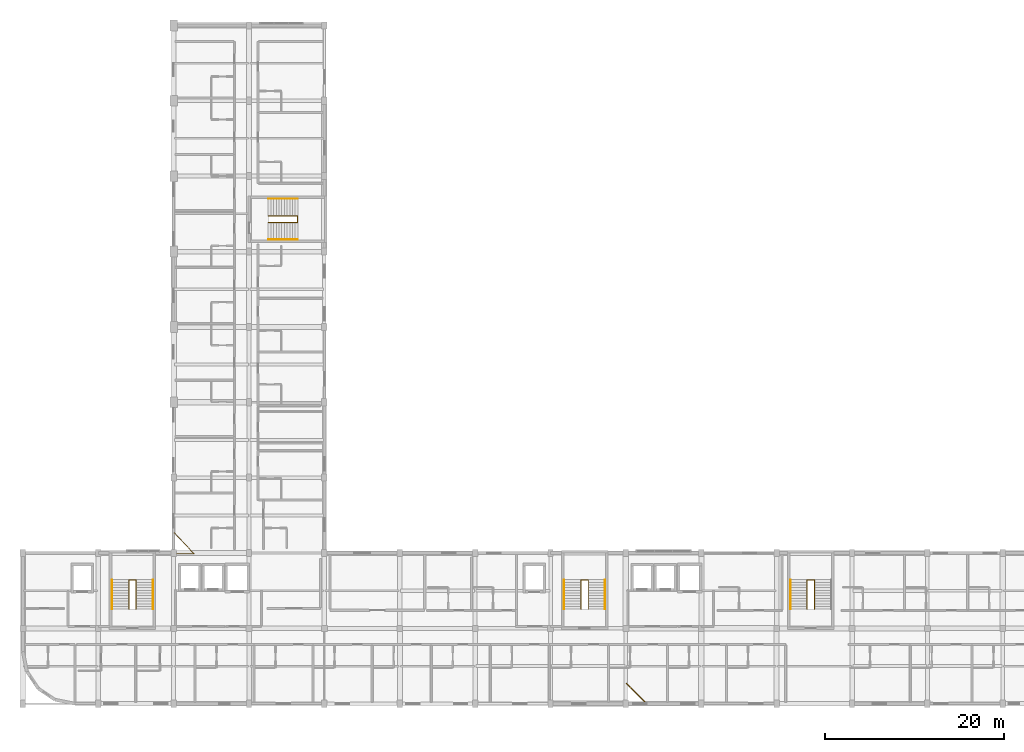
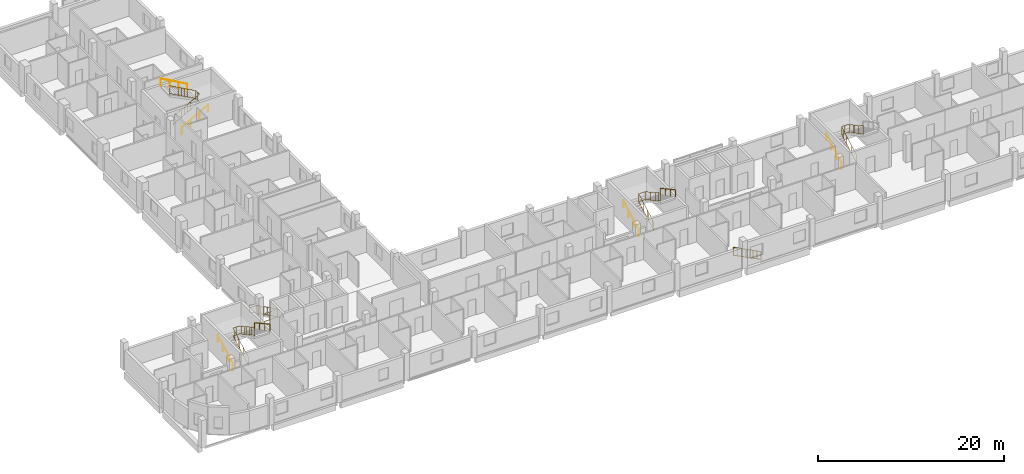
# One storey, part 25 of 26: 13 railings.
"""IFC4 building model written with IfcOpenShell, lengths in metres."""

from ifc_helpers import new_model, si_unit, derived_unit, direction, frame, origin, origin_2d, place, context, subcontext, project, spatial, circle, extrude, material, layer, layer_set, type_object, element, save


model = new_model("IFC4")

# Units and contexts
model_context = context("Model", 3, precision=1e-05, world=origin(), true_north=direction((0.0, 1.0)))
body_context = subcontext(model_context, "Body", "Model", "MODEL_VIEW")
ifc_project = project(units=[si_unit("LENGTHUNIT", "METRE"), si_unit("AREAUNIT", "SQUARE_METRE"), si_unit("VOLUMEUNIT", "CUBIC_METRE"), si_unit("PLANEANGLEUNIT", "RADIAN"), si_unit("MASSUNIT", "GRAM", prefix="KILO"), derived_unit("THERMALTRANSMITTANCEUNIT", [(si_unit("POWERUNIT", "WATT"), 1), (si_unit("LENGTHUNIT", "METRE"), -2), (si_unit("THERMODYNAMICTEMPERATUREUNIT", "KELVIN"), -1)])], contexts=[model_context])

# Site, building, storey
site_placement = place(None, origin())
site = spatial("IfcSite", under=ifc_project, at=site_placement, CompositionType="ELEMENT")
building_placement = place(site_placement, origin())
building = spatial("IfcBuilding", under=site, at=building_placement, Name="Barrovel Congress Hotel", CompositionType="ELEMENT")
storey_placement = place(building_placement, frame((0.0, 0.0, 21.89990234375)))
storey = spatial("IfcBuildingStorey", under=building, at=storey_placement, Name="L05", CompositionType="ELEMENT", Elevation=21.89990234375)

# Railings
ifc_material_1 = material(Name="Painted Architectural Steel", Category="steel")
ifc_layer_1 = layer(ifc_material_1, 0.070068359375)
ifc_layer_set_1 = layer_set([ifc_layer_1], Name="Painted Architectural Steel")
railing_type_1 = type_object("IfcRailingType", Name="RAIL-GUARD-INT", PredefinedType="BALUSTRADE", material=ifc_layer_set_1)
railing_1_placement = place(storey_placement, frame((28.60009765625, 14.739990234375, 0.0)))
element("IfcRailing", 1, at=railing_1_placement, inside=storey, type_object=railing_type_1, Name="STAIR:XS-01:L05:GR-W", PredefinedType="BALUSTRADE", context=body_context, shape_type="SweptSolid", body=[
    extrude(circle(Radius=0.02392578125, at=origin_2d()), frame((0.0, 0.0, 1.11572265625), z_axis=(0.0, 0.876041855244, 0.482235075311), x_axis=(-1.0, 0.0, 0.0)), (0.0, 0.0, 1.0), 3.732666015625),
    extrude(circle(Radius=0.02392578125, at=origin_2d()), frame((0.0, 0.0, 0.10009765625), z_axis=(0.0, 0.876041855244, 0.482235075311), x_axis=(-1.0, 0.0, 0.0)), (0.0, 0.0, 1.0), 3.732666015625),
    extrude(circle(Radius=0.010009765625, at=origin_2d()), frame((0.0, 0.36328125, 0.300048828125)), (0.0, 0.0, 1.0), 0.99169921875),
    extrude(circle(Radius=0.010009765625, at=origin_2d()), frame((0.0, 0.7265625, 0.5)), (0.0, 0.0, 1.0), 0.99169921875),
    extrude(circle(Radius=0.010009765625, at=origin_2d()), frame((0.0, 1.090087890625, 0.699951171875)), (0.0, 0.0, 1.0), 0.99169921875),
    extrude(circle(Radius=0.010009765625, at=origin_2d()), frame((0.0, 1.453369140625, 0.89990234375)), (0.0, 0.0, 1.0), 0.99169921875),
    extrude(circle(Radius=0.010009765625, at=origin_2d()), frame((0.0, 1.816650390625, 1.10009765625)), (0.0, 0.0, 1.0), 0.99169921875),
    extrude(circle(Radius=0.010009765625, at=origin_2d()), frame((0.0, 2.179931640625, 1.300048828125)), (0.0, 0.0, 1.0), 0.99169921875),
    extrude(circle(Radius=0.010009765625, at=origin_2d()), frame((0.0, 2.54345703125, 1.5)), (0.0, 0.0, 1.0), 0.99169921875),
    extrude(circle(Radius=0.010009765625, at=origin_2d()), frame((0.0, 2.90673828125, 1.699951171875)), (0.0, 0.0, 1.0), 0.99169921875),
    extrude(circle(Radius=0.02392578125, at=origin_2d()), frame((0.0, 3.27001953125, 2.916015625), z_axis=(1.0, 0.0, 0.0), x_axis=(0.0, 1.0, 0.0)), (0.0, 0.0, 1.0), 0.7998046875),
    extrude(circle(Radius=0.02392578125, at=origin_2d()), frame((0.0, 3.27001953125, 1.900146484375), z_axis=(1.0, 0.0, 0.0), x_axis=(0.0, 1.0, 0.0)), (0.0, 0.0, 1.0), 0.7998046875),
    extrude(circle(Radius=0.010009765625, at=origin_2d()), frame((0.39990234375, 3.27001953125, 1.900146484375)), (0.0, 0.0, 1.0), 0.99169921875),
    extrude(circle(Radius=0.02392578125, at=origin_2d()), frame((0.7998046875, 3.27001953125, 2.916015625), z_axis=(0.0, -0.876041855244, 0.482235075311), x_axis=(1.0, 0.0, 0.0)), (0.0, 0.0, 1.0), 3.732666015625),
    extrude(circle(Radius=0.02392578125, at=origin_2d()), frame((0.7998046875, 3.27001953125, 1.900146484375), z_axis=(0.0, -0.876041855244, 0.482235075311), x_axis=(1.0, 0.0, 0.0)), (0.0, 0.0, 1.0), 3.732666015625),
    extrude(circle(Radius=0.010009765625, at=origin_2d()), frame((0.7998046875, 2.90673828125, 2.10009765625)), (0.0, 0.0, 1.0), 0.99169921875),
    extrude(circle(Radius=0.010009765625, at=origin_2d()), frame((0.7998046875, 2.54345703125, 2.300048828125)), (0.0, 0.0, 1.0), 0.99169921875),
    extrude(circle(Radius=0.010009765625, at=origin_2d()), frame((0.7998046875, 2.179931640625, 2.5)), (0.0, 0.0, 1.0), 0.99169921875),
    extrude(circle(Radius=0.010009765625, at=origin_2d()), frame((0.7998046875, 1.816650390625, 2.699951171875)), (0.0, 0.0, 1.0), 0.99169921875),
    extrude(circle(Radius=0.010009765625, at=origin_2d()), frame((0.7998046875, 1.453369140625, 2.900146484375)), (0.0, 0.0, 1.0), 0.99169921875),
    extrude(circle(Radius=0.010009765625, at=origin_2d()), frame((0.7998046875, 1.090087890625, 3.10009765625)), (0.0, 0.0, 1.0), 0.99169921875),
    extrude(circle(Radius=0.010009765625, at=origin_2d()), frame((0.7998046875, 0.7265625, 3.300048828125)), (0.0, 0.0, 1.0), 0.99169921875),
    extrude(circle(Radius=0.010009765625, at=origin_2d()), frame((0.7998046875, 0.36328125, 3.5)), (0.0, 0.0, 1.0), 0.99169921875),
    extrude(circle(Radius=0.02099609375, at=origin_2d()), origin(), (0.0, 0.0, 1.0), 1.091796875),
    extrude(circle(Radius=0.02099609375, at=origin_2d()), frame((0.0, 1.090087890625, 0.60009765625)), (0.0, 0.0, 1.0), 1.091796875),
    extrude(circle(Radius=0.02099609375, at=origin_2d()), frame((0.0, 2.179931640625, 1.199951171875)), (0.0, 0.0, 1.0), 1.091796875),
    extrude(circle(Radius=0.02099609375, at=origin_2d()), frame((0.0, 3.27001953125, 1.800048828125)), (0.0, 0.0, 1.0), 1.091796875),
    extrude(circle(Radius=0.02099609375, at=origin_2d()), frame((0.7998046875, 3.27001953125, 1.800048828125)), (0.0, 0.0, 1.0), 1.091796875),
    extrude(circle(Radius=0.02099609375, at=origin_2d()), frame((0.7998046875, 2.179931640625, 2.400146484375)), (0.0, 0.0, 1.0), 1.091796875),
    extrude(circle(Radius=0.02099609375, at=origin_2d()), frame((0.7998046875, 1.090087890625, 3.0)), (0.0, 0.0, 1.0), 1.091796875),
    extrude(circle(Radius=0.02099609375, at=origin_2d()), frame((0.7998046875, 0.0, 3.60009765625)), (0.0, 0.0, 1.0), 1.091796875),
])
railing_2_placement = place(storey_placement, frame((79.0, 14.739990234375, 0.0)))
element("IfcRailing", 2, at=railing_2_placement, inside=storey, type_object=railing_type_1, Name="STAIR:XS-02:L05:GR-W", PredefinedType="BALUSTRADE", context=body_context, shape_type="SweptSolid", body=[
    extrude(circle(Radius=0.02392578125, at=origin_2d()), frame((0.0, 0.0, 1.11572265625), z_axis=(0.0, 0.876041855244, 0.482235075311), x_axis=(-1.0, 0.0, 0.0)), (0.0, 0.0, 1.0), 3.732666015625),
    extrude(circle(Radius=0.02392578125, at=origin_2d()), frame((0.0, 0.0, 0.10009765625), z_axis=(0.0, 0.876041855244, 0.482235075311), x_axis=(-1.0, 0.0, 0.0)), (0.0, 0.0, 1.0), 3.732666015625),
    extrude(circle(Radius=0.010009765625, at=origin_2d()), frame((0.0, 0.36328125, 0.300048828125)), (0.0, 0.0, 1.0), 0.99169921875),
    extrude(circle(Radius=0.010009765625, at=origin_2d()), frame((0.0, 0.7265625, 0.5)), (0.0, 0.0, 1.0), 0.99169921875),
    extrude(circle(Radius=0.010009765625, at=origin_2d()), frame((0.0, 1.090087890625, 0.699951171875)), (0.0, 0.0, 1.0), 0.99169921875),
    extrude(circle(Radius=0.010009765625, at=origin_2d()), frame((0.0, 1.453369140625, 0.89990234375)), (0.0, 0.0, 1.0), 0.99169921875),
    extrude(circle(Radius=0.010009765625, at=origin_2d()), frame((0.0, 1.816650390625, 1.10009765625)), (0.0, 0.0, 1.0), 0.99169921875),
    extrude(circle(Radius=0.010009765625, at=origin_2d()), frame((0.0, 2.179931640625, 1.300048828125)), (0.0, 0.0, 1.0), 0.99169921875),
    extrude(circle(Radius=0.010009765625, at=origin_2d()), frame((0.0, 2.54345703125, 1.5)), (0.0, 0.0, 1.0), 0.99169921875),
    extrude(circle(Radius=0.010009765625, at=origin_2d()), frame((0.0, 2.90673828125, 1.699951171875)), (0.0, 0.0, 1.0), 0.99169921875),
    extrude(circle(Radius=0.02392578125, at=origin_2d()), frame((0.0, 3.27001953125, 2.916015625), z_axis=(1.0, 0.0, 0.0), x_axis=(0.0, 1.0, 0.0)), (0.0, 0.0, 1.0), 0.800048828125),
    extrude(circle(Radius=0.02392578125, at=origin_2d()), frame((0.0, 3.27001953125, 1.900146484375), z_axis=(1.0, 0.0, 0.0), x_axis=(0.0, 1.0, 0.0)), (0.0, 0.0, 1.0), 0.800048828125),
    extrude(circle(Radius=0.010009765625, at=origin_2d()), frame((0.39990234375, 3.27001953125, 1.900146484375)), (0.0, 0.0, 1.0), 0.99169921875),
    extrude(circle(Radius=0.02392578125, at=origin_2d()), frame((0.800048828125, 3.27001953125, 2.916015625), z_axis=(0.0, -0.876041855244, 0.482235075311), x_axis=(1.0, 0.0, 0.0)), (0.0, 0.0, 1.0), 3.732666015625),
    extrude(circle(Radius=0.02392578125, at=origin_2d()), frame((0.800048828125, 3.27001953125, 1.900146484375), z_axis=(0.0, -0.876041855244, 0.482235075311), x_axis=(1.0, 0.0, 0.0)), (0.0, 0.0, 1.0), 3.732666015625),
    extrude(circle(Radius=0.010009765625, at=origin_2d()), frame((0.800048828125, 2.90673828125, 2.10009765625)), (0.0, 0.0, 1.0), 0.99169921875),
    extrude(circle(Radius=0.010009765625, at=origin_2d()), frame((0.800048828125, 2.54345703125, 2.300048828125)), (0.0, 0.0, 1.0), 0.99169921875),
    extrude(circle(Radius=0.010009765625, at=origin_2d()), frame((0.800048828125, 2.179931640625, 2.5)), (0.0, 0.0, 1.0), 0.99169921875),
    extrude(circle(Radius=0.010009765625, at=origin_2d()), frame((0.800048828125, 1.816650390625, 2.699951171875)), (0.0, 0.0, 1.0), 0.99169921875),
    extrude(circle(Radius=0.010009765625, at=origin_2d()), frame((0.800048828125, 1.453369140625, 2.900146484375)), (0.0, 0.0, 1.0), 0.99169921875),
    extrude(circle(Radius=0.010009765625, at=origin_2d()), frame((0.800048828125, 1.090087890625, 3.10009765625)), (0.0, 0.0, 1.0), 0.99169921875),
    extrude(circle(Radius=0.010009765625, at=origin_2d()), frame((0.800048828125, 0.7265625, 3.300048828125)), (0.0, 0.0, 1.0), 0.99169921875),
    extrude(circle(Radius=0.010009765625, at=origin_2d()), frame((0.800048828125, 0.36328125, 3.5)), (0.0, 0.0, 1.0), 0.99169921875),
    extrude(circle(Radius=0.02099609375, at=origin_2d()), origin(), (0.0, 0.0, 1.0), 1.091796875),
    extrude(circle(Radius=0.02099609375, at=origin_2d()), frame((0.0, 1.090087890625, 0.60009765625)), (0.0, 0.0, 1.0), 1.091796875),
    extrude(circle(Radius=0.02099609375, at=origin_2d()), frame((0.0, 2.179931640625, 1.199951171875)), (0.0, 0.0, 1.0), 1.091796875),
    extrude(circle(Radius=0.02099609375, at=origin_2d()), frame((0.0, 3.27001953125, 1.800048828125)), (0.0, 0.0, 1.0), 1.091796875),
    extrude(circle(Radius=0.02099609375, at=origin_2d()), frame((0.800048828125, 3.27001953125, 1.800048828125)), (0.0, 0.0, 1.0), 1.091796875),
    extrude(circle(Radius=0.02099609375, at=origin_2d()), frame((0.800048828125, 2.179931640625, 2.400146484375)), (0.0, 0.0, 1.0), 1.091796875),
    extrude(circle(Radius=0.02099609375, at=origin_2d()), frame((0.800048828125, 1.090087890625, 3.0)), (0.0, 0.0, 1.0), 1.091796875),
    extrude(circle(Radius=0.02099609375, at=origin_2d()), frame((0.800048828125, 0.0, 3.60009765625)), (0.0, 0.0, 1.0), 1.091796875),
])
railing_3_placement = place(storey_placement, frame((104.199951171875, 14.739990234375, 0.0)))
element("IfcRailing", 3, at=railing_3_placement, inside=storey, type_object=railing_type_1, Name="STAIR:XS-03:L05:GR-W", PredefinedType="BALUSTRADE", context=body_context, shape_type="SweptSolid", body=[
    extrude(circle(Radius=0.02392578125, at=origin_2d()), frame((0.0, 0.0, 1.11572265625), z_axis=(0.0, 0.876041855244, 0.482235075311), x_axis=(-1.0, 0.0, 0.0)), (0.0, 0.0, 1.0), 3.732666015625),
    extrude(circle(Radius=0.02392578125, at=origin_2d()), frame((0.0, 0.0, 0.10009765625), z_axis=(0.0, 0.876041855244, 0.482235075311), x_axis=(-1.0, 0.0, 0.0)), (0.0, 0.0, 1.0), 3.732666015625),
    extrude(circle(Radius=0.010009765625, at=origin_2d()), frame((0.0, 0.36328125, 0.300048828125)), (0.0, 0.0, 1.0), 0.99169921875),
    extrude(circle(Radius=0.010009765625, at=origin_2d()), frame((0.0, 0.7265625, 0.5)), (0.0, 0.0, 1.0), 0.99169921875),
    extrude(circle(Radius=0.010009765625, at=origin_2d()), frame((0.0, 1.090087890625, 0.699951171875)), (0.0, 0.0, 1.0), 0.99169921875),
    extrude(circle(Radius=0.010009765625, at=origin_2d()), frame((0.0, 1.453369140625, 0.89990234375)), (0.0, 0.0, 1.0), 0.99169921875),
    extrude(circle(Radius=0.010009765625, at=origin_2d()), frame((0.0, 1.816650390625, 1.10009765625)), (0.0, 0.0, 1.0), 0.99169921875),
    extrude(circle(Radius=0.010009765625, at=origin_2d()), frame((0.0, 2.179931640625, 1.300048828125)), (0.0, 0.0, 1.0), 0.99169921875),
    extrude(circle(Radius=0.010009765625, at=origin_2d()), frame((0.0, 2.54345703125, 1.5)), (0.0, 0.0, 1.0), 0.99169921875),
    extrude(circle(Radius=0.010009765625, at=origin_2d()), frame((0.0, 2.90673828125, 1.699951171875)), (0.0, 0.0, 1.0), 0.99169921875),
    extrude(circle(Radius=0.02392578125, at=origin_2d()), frame((0.0, 3.27001953125, 2.916015625), z_axis=(1.0, 0.0, 0.0), x_axis=(0.0, 1.0, 0.0)), (0.0, 0.0, 1.0), 0.800048828125),
    extrude(circle(Radius=0.02392578125, at=origin_2d()), frame((0.0, 3.27001953125, 1.900146484375), z_axis=(1.0, 0.0, 0.0), x_axis=(0.0, 1.0, 0.0)), (0.0, 0.0, 1.0), 0.800048828125),
    extrude(circle(Radius=0.010009765625, at=origin_2d()), frame((0.39990234375, 3.27001953125, 1.900146484375)), (0.0, 0.0, 1.0), 0.99169921875),
    extrude(circle(Radius=0.02392578125, at=origin_2d()), frame((0.800048828125, 3.27001953125, 2.916015625), z_axis=(0.0, -0.876041855244, 0.482235075311), x_axis=(1.0, 0.0, 0.0)), (0.0, 0.0, 1.0), 3.732666015625),
    extrude(circle(Radius=0.02392578125, at=origin_2d()), frame((0.800048828125, 3.27001953125, 1.900146484375), z_axis=(0.0, -0.876041855244, 0.482235075311), x_axis=(1.0, 0.0, 0.0)), (0.0, 0.0, 1.0), 3.732666015625),
    extrude(circle(Radius=0.010009765625, at=origin_2d()), frame((0.800048828125, 2.90673828125, 2.10009765625)), (0.0, 0.0, 1.0), 0.99169921875),
    extrude(circle(Radius=0.010009765625, at=origin_2d()), frame((0.800048828125, 2.54345703125, 2.300048828125)), (0.0, 0.0, 1.0), 0.99169921875),
    extrude(circle(Radius=0.010009765625, at=origin_2d()), frame((0.800048828125, 2.179931640625, 2.5)), (0.0, 0.0, 1.0), 0.99169921875),
    extrude(circle(Radius=0.010009765625, at=origin_2d()), frame((0.800048828125, 1.816650390625, 2.699951171875)), (0.0, 0.0, 1.0), 0.99169921875),
    extrude(circle(Radius=0.010009765625, at=origin_2d()), frame((0.800048828125, 1.453369140625, 2.900146484375)), (0.0, 0.0, 1.0), 0.99169921875),
    extrude(circle(Radius=0.010009765625, at=origin_2d()), frame((0.800048828125, 1.090087890625, 3.10009765625)), (0.0, 0.0, 1.0), 0.99169921875),
    extrude(circle(Radius=0.010009765625, at=origin_2d()), frame((0.800048828125, 0.7265625, 3.300048828125)), (0.0, 0.0, 1.0), 0.99169921875),
    extrude(circle(Radius=0.010009765625, at=origin_2d()), frame((0.800048828125, 0.36328125, 3.5)), (0.0, 0.0, 1.0), 0.99169921875),
    extrude(circle(Radius=0.02099609375, at=origin_2d()), origin(), (0.0, 0.0, 1.0), 1.091796875),
    extrude(circle(Radius=0.02099609375, at=origin_2d()), frame((0.0, 1.090087890625, 0.60009765625)), (0.0, 0.0, 1.0), 1.091796875),
    extrude(circle(Radius=0.02099609375, at=origin_2d()), frame((0.0, 2.179931640625, 1.199951171875)), (0.0, 0.0, 1.0), 1.091796875),
    extrude(circle(Radius=0.02099609375, at=origin_2d()), frame((0.0, 3.27001953125, 1.800048828125)), (0.0, 0.0, 1.0), 1.091796875),
    extrude(circle(Radius=0.02099609375, at=origin_2d()), frame((0.800048828125, 3.27001953125, 1.800048828125)), (0.0, 0.0, 1.0), 1.091796875),
    extrude(circle(Radius=0.02099609375, at=origin_2d()), frame((0.800048828125, 2.179931640625, 2.400146484375)), (0.0, 0.0, 1.0), 1.091796875),
    extrude(circle(Radius=0.02099609375, at=origin_2d()), frame((0.800048828125, 1.090087890625, 3.0)), (0.0, 0.0, 1.0), 1.091796875),
    extrude(circle(Radius=0.02099609375, at=origin_2d()), frame((0.800048828125, 0.0, 3.60009765625)), (0.0, 0.0, 1.0), 1.091796875),
])
railing_4_placement = place(storey_placement, frame((44.139892578125, 57.820068359375, 0.0)))
element("IfcRailing", 4, at=railing_4_placement, inside=storey, type_object=railing_type_1, Name="STAIR:XS-05:L05:GR-W", PredefinedType="BALUSTRADE", context=body_context, shape_type="SweptSolid", body=[
    extrude(circle(Radius=0.02392578125, at=origin_2d()), frame((0.0, 0.0, 1.11572265625), z_axis=(0.876041855244, 0.0, 0.482235075311), x_axis=(0.0, 1.0, 0.0)), (0.0, 0.0, 1.0), 3.732666015625),
    extrude(circle(Radius=0.02392578125, at=origin_2d()), frame((0.0, 0.0, 0.10009765625), z_axis=(0.876041855244, 0.0, 0.482235075311), x_axis=(0.0, 1.0, 0.0)), (0.0, 0.0, 1.0), 3.732666015625),
    extrude(circle(Radius=0.010009765625, at=origin_2d()), frame((0.36328125, 0.0, 0.300048828125)), (0.0, 0.0, 1.0), 0.99169921875),
    extrude(circle(Radius=0.010009765625, at=origin_2d()), frame((0.7265625, 0.0, 0.5)), (0.0, 0.0, 1.0), 0.99169921875),
    extrude(circle(Radius=0.010009765625, at=origin_2d()), frame((1.090087890625, 0.0, 0.699951171875)), (0.0, 0.0, 1.0), 0.99169921875),
    extrude(circle(Radius=0.010009765625, at=origin_2d()), frame((1.453369140625, 0.0, 0.89990234375)), (0.0, 0.0, 1.0), 0.99169921875),
    extrude(circle(Radius=0.010009765625, at=origin_2d()), frame((1.816650390625, 0.0, 1.10009765625)), (0.0, 0.0, 1.0), 0.99169921875),
    extrude(circle(Radius=0.010009765625, at=origin_2d()), frame((2.179931640625, 0.0, 1.300048828125)), (0.0, 0.0, 1.0), 0.99169921875),
    extrude(circle(Radius=0.010009765625, at=origin_2d()), frame((2.54345703125, 0.0, 1.5)), (0.0, 0.0, 1.0), 0.99169921875),
    extrude(circle(Radius=0.010009765625, at=origin_2d()), frame((2.90673828125, 0.0, 1.699951171875)), (0.0, 0.0, 1.0), 0.99169921875),
    extrude(circle(Radius=0.02392578125, at=origin_2d()), frame((3.27001953125, 0.0, 2.916015625), z_axis=(0.0, 1.0, 0.0), x_axis=(-1.0, 0.0, 0.0)), (0.0, 0.0, 1.0), 0.760009765625),
    extrude(circle(Radius=0.02392578125, at=origin_2d()), frame((3.27001953125, 0.0, 1.900146484375), z_axis=(0.0, 1.0, 0.0), x_axis=(-1.0, 0.0, 0.0)), (0.0, 0.0, 1.0), 0.760009765625),
    extrude(circle(Radius=0.010009765625, at=origin_2d()), frame((3.27001953125, 0.3798828125, 1.900146484375)), (0.0, 0.0, 1.0), 0.99169921875),
    extrude(circle(Radius=0.02392578125, at=origin_2d()), frame((3.27001953125, 0.760009765625, 2.916015625), z_axis=(-0.876041855244, 0.0, 0.482235075311), x_axis=(0.0, -1.0, 0.0)), (0.0, 0.0, 1.0), 3.732666015625),
    extrude(circle(Radius=0.02392578125, at=origin_2d()), frame((3.27001953125, 0.760009765625, 1.900146484375), z_axis=(-0.876041855244, 0.0, 0.482235075311), x_axis=(0.0, -1.0, 0.0)), (0.0, 0.0, 1.0), 3.732666015625),
    extrude(circle(Radius=0.010009765625, at=origin_2d()), frame((2.90673828125, 0.760009765625, 2.10009765625)), (0.0, 0.0, 1.0), 0.99169921875),
    extrude(circle(Radius=0.010009765625, at=origin_2d()), frame((2.54345703125, 0.760009765625, 2.300048828125)), (0.0, 0.0, 1.0), 0.99169921875),
    extrude(circle(Radius=0.010009765625, at=origin_2d()), frame((2.179931640625, 0.760009765625, 2.5)), (0.0, 0.0, 1.0), 0.99169921875),
    extrude(circle(Radius=0.010009765625, at=origin_2d()), frame((1.816650390625, 0.760009765625, 2.699951171875)), (0.0, 0.0, 1.0), 0.99169921875),
    extrude(circle(Radius=0.010009765625, at=origin_2d()), frame((1.453369140625, 0.760009765625, 2.900146484375)), (0.0, 0.0, 1.0), 0.99169921875),
    extrude(circle(Radius=0.010009765625, at=origin_2d()), frame((1.090087890625, 0.760009765625, 3.10009765625)), (0.0, 0.0, 1.0), 0.99169921875),
    extrude(circle(Radius=0.010009765625, at=origin_2d()), frame((0.7265625, 0.760009765625, 3.300048828125)), (0.0, 0.0, 1.0), 0.99169921875),
    extrude(circle(Radius=0.010009765625, at=origin_2d()), frame((0.36328125, 0.760009765625, 3.5)), (0.0, 0.0, 1.0), 0.99169921875),
    extrude(circle(Radius=0.02099609375, at=origin_2d()), origin(), (0.0, 0.0, 1.0), 1.091796875),
    extrude(circle(Radius=0.02099609375, at=origin_2d()), frame((1.090087890625, 0.0, 0.60009765625)), (0.0, 0.0, 1.0), 1.091796875),
    extrude(circle(Radius=0.02099609375, at=origin_2d()), frame((2.179931640625, 0.0, 1.199951171875)), (0.0, 0.0, 1.0), 1.091796875),
    extrude(circle(Radius=0.02099609375, at=origin_2d()), frame((3.27001953125, 0.0, 1.800048828125)), (0.0, 0.0, 1.0), 1.091796875),
    extrude(circle(Radius=0.02099609375, at=origin_2d()), frame((3.27001953125, 0.760009765625, 1.800048828125)), (0.0, 0.0, 1.0), 1.091796875),
    extrude(circle(Radius=0.02099609375, at=origin_2d()), frame((2.179931640625, 0.760009765625, 2.400146484375)), (0.0, 0.0, 1.0), 1.091796875),
    extrude(circle(Radius=0.02099609375, at=origin_2d()), frame((1.090087890625, 0.760009765625, 3.0)), (0.0, 0.0, 1.0), 1.091796875),
    extrude(circle(Radius=0.02099609375, at=origin_2d()), frame((0.0, 0.760009765625, 3.60009765625)), (0.0, 0.0, 1.0), 1.091796875),
])
railing_5_placement = place(storey_placement, frame((33.679931640625, 20.919921875, 0.0)))
element("IfcRailing", 5, at=railing_5_placement, inside=storey, type_object=railing_type_1, Name="RAIL:L05:CG-HW1", PredefinedType="BALUSTRADE", context=body_context, shape_type="SweptSolid", body=[
    extrude(circle(Radius=0.02392578125, at=origin_2d()), frame((0.0, 0.0, 1.11572265625), z_axis=(1.0, 0.0, 0.0), x_axis=(0.0, 1.0, 0.0)), (0.0, 0.0, 1.0), 2.170166015625),
    extrude(circle(Radius=0.02392578125, at=origin_2d()), frame((0.0, 0.0, 0.10009765625), z_axis=(1.0, 0.0, 0.0), x_axis=(0.0, 1.0, 0.0)), (0.0, 0.0, 1.0), 2.170166015625),
    extrude(circle(Radius=0.010009765625, at=origin_2d()), frame((0.43408203125, 0.0, 0.10009765625)), (0.0, 0.0, 1.0), 0.99169921875),
    extrude(circle(Radius=0.010009765625, at=origin_2d()), frame((0.8681640625, 0.0, 0.10009765625)), (0.0, 0.0, 1.0), 0.99169921875),
    extrude(circle(Radius=0.010009765625, at=origin_2d()), frame((1.302001953125, 0.0, 0.10009765625)), (0.0, 0.0, 1.0), 0.99169921875),
    extrude(circle(Radius=0.010009765625, at=origin_2d()), frame((1.736083984375, 0.0, 0.10009765625)), (0.0, 0.0, 1.0), 0.99169921875),
    extrude(circle(Radius=0.02392578125, at=origin_2d()), frame((2.170166015625, 0.0, 1.11572265625), z_axis=(-0.681550229161, 0.731771333909, 0.0), x_axis=(-0.731771333909, -0.681550229161, 0.0)), (0.0, 0.0, 1.0), 3.18408203125),
    extrude(circle(Radius=0.02392578125, at=origin_2d()), frame((2.170166015625, 0.0, 0.10009765625), z_axis=(-0.681550229161, 0.731771333909, 0.0), x_axis=(-0.731771333909, -0.681550229161, 0.0)), (0.0, 0.0, 1.0), 3.18408203125),
    extrude(circle(Radius=0.010009765625, at=origin_2d()), frame((1.89892578125, 0.291259765625, 0.10009765625)), (0.0, 0.0, 1.0), 0.99169921875),
    extrude(circle(Radius=0.010009765625, at=origin_2d()), frame((1.627685546875, 0.58251953125, 0.10009765625)), (0.0, 0.0, 1.0), 0.99169921875),
    extrude(circle(Radius=0.010009765625, at=origin_2d()), frame((1.3564453125, 0.873779296875, 0.10009765625)), (0.0, 0.0, 1.0), 0.99169921875),
    extrude(circle(Radius=0.010009765625, at=origin_2d()), frame((1.0849609375, 1.1650390625, 0.10009765625)), (0.0, 0.0, 1.0), 0.99169921875),
    extrude(circle(Radius=0.010009765625, at=origin_2d()), frame((0.813720703125, 1.456298828125, 0.10009765625)), (0.0, 0.0, 1.0), 0.99169921875),
    extrude(circle(Radius=0.010009765625, at=origin_2d()), frame((0.54248046875, 1.74755859375, 0.10009765625)), (0.0, 0.0, 1.0), 0.99169921875),
    extrude(circle(Radius=0.010009765625, at=origin_2d()), frame((0.271240234375, 2.038818359375, 0.10009765625)), (0.0, 0.0, 1.0), 0.99169921875),
    extrude(circle(Radius=0.02099609375, at=origin_2d()), origin(), (0.0, 0.0, 1.0), 1.091796875),
    extrude(circle(Radius=0.02099609375, at=origin_2d()), frame((1.0849609375, 0.0, 0.0)), (0.0, 0.0, 1.0), 1.091796875),
    extrude(circle(Radius=0.02099609375, at=origin_2d()), frame((2.170166015625, 0.0, 0.0)), (0.0, 0.0, 1.0), 1.091796875),
    extrude(circle(Radius=0.02099609375, at=origin_2d()), frame((1.0849609375, 1.1650390625, 0.0)), (0.0, 0.0, 1.0), 1.091796875),
    extrude(circle(Radius=0.02099609375, at=origin_2d()), frame((0.0, 2.330078125, 0.0)), (0.0, 0.0, 1.0), 1.091796875),
])
railing_6_placement = place(storey_placement, frame((86.25, 4.280029296875, 0.0)))
element("IfcRailing", 6, at=railing_6_placement, inside=storey, type_object=railing_type_1, Name="RAIL:L05:CG-HS2", PredefinedType="BALUSTRADE", context=body_context, shape_type="SweptSolid", body=[
    extrude(circle(Radius=0.02392578125, at=origin_2d()), frame((0.0, 0.0, 1.11572265625), z_axis=(-0.707106781187, 0.707106781187, 0.0), x_axis=(-0.707106781187, -0.707106781187, 0.0)), (0.0, 0.0, 1.0), 3.06884765625),
    extrude(circle(Radius=0.02392578125, at=origin_2d()), frame((0.0, 0.0, 0.10009765625), z_axis=(-0.707106781187, 0.707106781187, 0.0), x_axis=(-0.707106781187, -0.707106781187, 0.0)), (0.0, 0.0, 1.0), 3.06884765625),
    extrude(circle(Radius=0.010009765625, at=origin_2d()), frame((-0.31005859375, 0.31005859375, 0.10009765625)), (0.0, 0.0, 1.0), 0.99169921875),
    extrude(circle(Radius=0.010009765625, at=origin_2d()), frame((-0.619873046875, 0.619873046875, 0.10009765625)), (0.0, 0.0, 1.0), 0.99169921875),
    extrude(circle(Radius=0.010009765625, at=origin_2d()), frame((-0.929931640625, 0.929931640625, 0.10009765625)), (0.0, 0.0, 1.0), 0.99169921875),
    extrude(circle(Radius=0.010009765625, at=origin_2d()), frame((-1.239990234375, 1.239990234375, 0.10009765625)), (0.0, 0.0, 1.0), 0.99169921875),
    extrude(circle(Radius=0.010009765625, at=origin_2d()), frame((-1.550048828125, 1.550048828125, 0.10009765625)), (0.0, 0.0, 1.0), 0.99169921875),
    extrude(circle(Radius=0.010009765625, at=origin_2d()), frame((-1.85986328125, 1.85986328125, 0.10009765625)), (0.0, 0.0, 1.0), 0.99169921875),
    extrude(circle(Radius=0.02099609375, at=origin_2d()), origin(), (0.0, 0.0, 1.0), 1.091796875),
    extrude(circle(Radius=0.02099609375, at=origin_2d()), frame((-1.0849609375, 1.0849609375, 0.0)), (0.0, 0.0, 1.0), 1.091796875),
    extrude(circle(Radius=0.02099609375, at=origin_2d()), frame((-2.169921875, 2.169921875, 0.0)), (0.0, 0.0, 1.0), 1.091796875),
])
ifc_material_2 = material(Name="Brushed Stainless Steel", Category="steel")
ifc_layer_2 = layer(ifc_material_2, 0.050048828125)
ifc_layer_set_2 = layer_set([ifc_layer_2], Name="Brushed Stainless Steel")
railing_type_2 = type_object("IfcRailingType", Name="RAIL-HAND", PredefinedType="HANDRAIL", material=ifc_layer_set_2)
railing_7_placement = place(storey_placement, frame((26.719970703125, 14.739990234375, 0.0)))
element("IfcRailing", 7, at=railing_7_placement, inside=storey, type_object=railing_type_2, Name="STAIR:XS-01:L05:HR-1", PredefinedType="HANDRAIL", context=body_context, shape_type="SweptSolid", body=[
    extrude(circle(Radius=0.02392578125, at=origin_2d()), frame((0.0, 0.0, 0.89599609375), z_axis=(0.0, 0.876041855244, 0.482235075311), x_axis=(-1.0, 0.0, 0.0)), (0.0, 0.0, 1.0), 3.732666015625),
    extrude(circle(Radius=0.02099609375, at=origin_2d()), origin(), (0.0, 0.0, 1.0), 0.871826171875),
    extrude(circle(Radius=0.02099609375, at=origin_2d()), frame((0.0, 1.090087890625, 0.60009765625)), (0.0, 0.0, 1.0), 0.871826171875),
    extrude(circle(Radius=0.02099609375, at=origin_2d()), frame((0.0, 2.179931640625, 1.199951171875)), (0.0, 0.0, 1.0), 0.871826171875),
    extrude(circle(Radius=0.02099609375, at=origin_2d()), frame((0.0, 3.27001953125, 1.800048828125)), (0.0, 0.0, 1.0), 0.871826171875),
])
railing_8_placement = place(storey_placement, frame((31.280029296875, 18.010009765625, 1.800048828125)))
element("IfcRailing", 8, at=railing_8_placement, inside=storey, type_object=railing_type_2, Name="STAIR:XS-01:L05:HR-2", PredefinedType="HANDRAIL", context=body_context, shape_type="SweptSolid", body=[
    extrude(circle(Radius=0.02392578125, at=origin_2d()), frame((0.0, 0.0, 0.89599609375), z_axis=(0.0, -0.876041855244, 0.482235075311), x_axis=(1.0, 0.0, 0.0)), (0.0, 0.0, 1.0), 3.732666015625),
    extrude(circle(Radius=0.02099609375, at=origin_2d()), origin(), (0.0, 0.0, 1.0), 0.871826171875),
    extrude(circle(Radius=0.02099609375, at=origin_2d()), frame((0.0, -1.090087890625, 0.60009765625)), (0.0, 0.0, 1.0), 0.871826171875),
    extrude(circle(Radius=0.02099609375, at=origin_2d()), frame((0.0, -2.179931640625, 1.199951171875)), (0.0, 0.0, 1.0), 0.871826171875),
    extrude(circle(Radius=0.02099609375, at=origin_2d()), frame((0.0, -3.27001953125, 1.800048828125)), (0.0, 0.0, 1.0), 0.871826171875),
])
railing_9_placement = place(storey_placement, frame((77.1201171875, 14.739990234375, 0.0)))
element("IfcRailing", 9, at=railing_9_placement, inside=storey, type_object=railing_type_2, Name="STAIR:XS-02:L05:HR-1", PredefinedType="HANDRAIL", context=body_context, shape_type="SweptSolid", body=[
    extrude(circle(Radius=0.02392578125, at=origin_2d()), frame((0.0, 0.0, 0.89599609375), z_axis=(0.0, 0.876041855244, 0.482235075311), x_axis=(-1.0, 0.0, 0.0)), (0.0, 0.0, 1.0), 3.732666015625),
    extrude(circle(Radius=0.02099609375, at=origin_2d()), origin(), (0.0, 0.0, 1.0), 0.871826171875),
    extrude(circle(Radius=0.02099609375, at=origin_2d()), frame((0.0, 1.090087890625, 0.60009765625)), (0.0, 0.0, 1.0), 0.871826171875),
    extrude(circle(Radius=0.02099609375, at=origin_2d()), frame((0.0, 2.179931640625, 1.199951171875)), (0.0, 0.0, 1.0), 0.871826171875),
    extrude(circle(Radius=0.02099609375, at=origin_2d()), frame((0.0, 3.27001953125, 1.800048828125)), (0.0, 0.0, 1.0), 0.871826171875),
])
railing_10_placement = place(storey_placement, frame((81.679931640625, 18.010009765625, 1.800048828125)))
element("IfcRailing", 10, at=railing_10_placement, inside=storey, type_object=railing_type_2, Name="STAIR:XS-02:L05:HR-2", PredefinedType="HANDRAIL", context=body_context, shape_type="SweptSolid", body=[
    extrude(circle(Radius=0.02392578125, at=origin_2d()), frame((0.0, 0.0, 0.89599609375), z_axis=(0.0, -0.876041855244, 0.482235075311), x_axis=(1.0, 0.0, 0.0)), (0.0, 0.0, 1.0), 3.732666015625),
    extrude(circle(Radius=0.02099609375, at=origin_2d()), origin(), (0.0, 0.0, 1.0), 0.871826171875),
    extrude(circle(Radius=0.02099609375, at=origin_2d()), frame((0.0, -1.090087890625, 0.60009765625)), (0.0, 0.0, 1.0), 0.871826171875),
    extrude(circle(Radius=0.02099609375, at=origin_2d()), frame((0.0, -2.179931640625, 1.199951171875)), (0.0, 0.0, 1.0), 0.871826171875),
    extrude(circle(Radius=0.02099609375, at=origin_2d()), frame((0.0, -3.27001953125, 1.800048828125)), (0.0, 0.0, 1.0), 0.871826171875),
])
railing_11_placement = place(storey_placement, frame((102.320068359375, 14.739990234375, 0.0)))
element("IfcRailing", 11, at=railing_11_placement, inside=storey, type_object=railing_type_2, Name="STAIR:XS-03:L05:HR-1", PredefinedType="HANDRAIL", context=body_context, shape_type="SweptSolid", body=[
    extrude(circle(Radius=0.02392578125, at=origin_2d()), frame((0.0, 0.0, 0.89599609375), z_axis=(0.0, 0.876041855244, 0.482235075311), x_axis=(-1.0, 0.0, 0.0)), (0.0, 0.0, 1.0), 3.732666015625),
    extrude(circle(Radius=0.02099609375, at=origin_2d()), origin(), (0.0, 0.0, 1.0), 0.871826171875),
    extrude(circle(Radius=0.02099609375, at=origin_2d()), frame((0.0, 1.090087890625, 0.60009765625)), (0.0, 0.0, 1.0), 0.871826171875),
    extrude(circle(Radius=0.02099609375, at=origin_2d()), frame((0.0, 2.179931640625, 1.199951171875)), (0.0, 0.0, 1.0), 0.871826171875),
    extrude(circle(Radius=0.02099609375, at=origin_2d()), frame((0.0, 3.27001953125, 1.800048828125)), (0.0, 0.0, 1.0), 0.871826171875),
])
railing_12_placement = place(storey_placement, frame((44.139892578125, 55.919921875, 0.0)))
element("IfcRailing", 12, at=railing_12_placement, inside=storey, type_object=railing_type_2, Name="STAIR:XS-05:L05:HR-1", PredefinedType="HANDRAIL", context=body_context, shape_type="SweptSolid", body=[
    extrude(circle(Radius=0.02392578125, at=origin_2d()), frame((0.0, 0.0, 0.89599609375), z_axis=(0.876041855244, 0.0, 0.482235075311), x_axis=(0.0, 1.0, 0.0)), (0.0, 0.0, 1.0), 3.732666015625),
    extrude(circle(Radius=0.02099609375, at=origin_2d()), origin(), (0.0, 0.0, 1.0), 0.871826171875),
    extrude(circle(Radius=0.02099609375, at=origin_2d()), frame((1.090087890625, 0.0, 0.60009765625)), (0.0, 0.0, 1.0), 0.871826171875),
    extrude(circle(Radius=0.02099609375, at=origin_2d()), frame((2.179931640625, 0.0, 1.199951171875)), (0.0, 0.0, 1.0), 0.871826171875),
    extrude(circle(Radius=0.02099609375, at=origin_2d()), frame((3.27001953125, 0.0, 1.800048828125)), (0.0, 0.0, 1.0), 0.871826171875),
])
railing_13_placement = place(storey_placement, frame((47.409912109375, 60.47998046875, 1.800048828125)))
element("IfcRailing", 13, at=railing_13_placement, inside=storey, type_object=railing_type_2, Name="STAIR:XS-05:L05:HR-2", PredefinedType="HANDRAIL", context=body_context, shape_type="SweptSolid", body=[
    extrude(circle(Radius=0.02392578125, at=origin_2d()), frame((0.0, 0.0, 0.89599609375), z_axis=(-0.876041855244, 0.0, 0.482235075311), x_axis=(0.0, -1.0, 0.0)), (0.0, 0.0, 1.0), 3.732666015625),
    extrude(circle(Radius=0.02099609375, at=origin_2d()), origin(), (0.0, 0.0, 1.0), 0.871826171875),
    extrude(circle(Radius=0.02099609375, at=origin_2d()), frame((-1.090087890625, 0.0, 0.60009765625)), (0.0, 0.0, 1.0), 0.871826171875),
    extrude(circle(Radius=0.02099609375, at=origin_2d()), frame((-2.179931640625, 0.0, 1.199951171875)), (0.0, 0.0, 1.0), 0.871826171875),
    extrude(circle(Radius=0.02099609375, at=origin_2d()), frame((-3.27001953125, 0.0, 1.800048828125)), (0.0, 0.0, 1.0), 0.871826171875),
])

save(model, "model.ifc")
